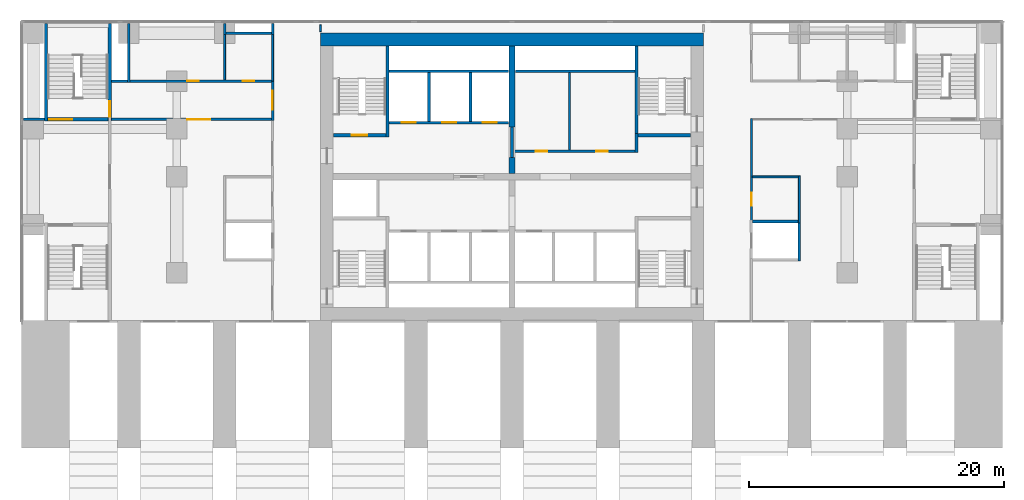
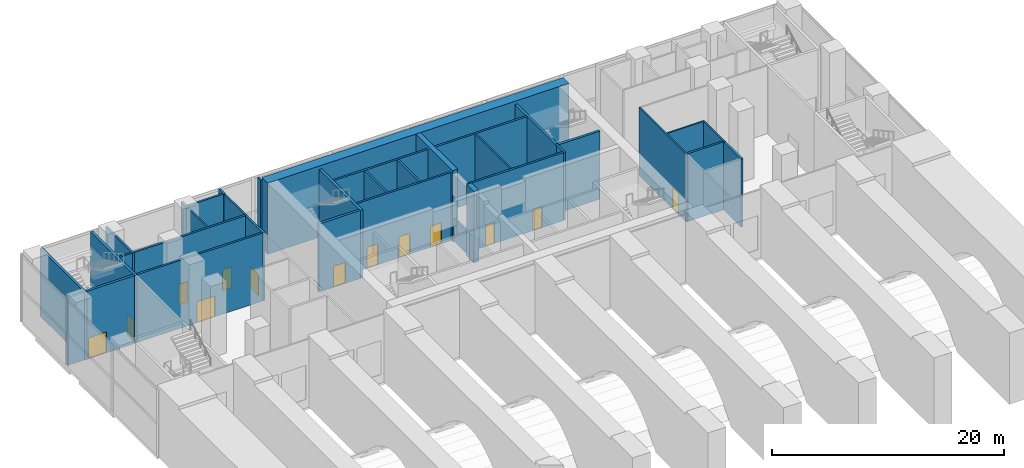
# One storey, part 7 of 15: 36 walls, 13 doors, 13 openings.
"""IFC4 building model written with IfcOpenShell, lengths in metres."""

import ifcopenshell
import ifcopenshell.guid

model = None  # the IFC model being written
_history = None  # IfcOwnerHistory: only IFC2X3 demands one
_inside = {}  # id of a spatial element -> (the spatial element, [elements in it])
_under = {}  # id of a project, library or spatial element -> (it, [spatial elements below it])
_declared = {}  # id of a project -> (the project, [libraries it declares])
_typed = {}  # id of a type object -> (the type object, [elements of that type])
_made_of = {}  # id of a material, layer set ... -> (it, [elements and type objects made of it])


def new_model(schema):
    """Start an empty IFC model of exactly this schema.

    Asked for "IFC4X3", IfcOpenShell would pick the latest addendum, in which some entities
    have other attributes; the version numbers below select the first issue.
    IFC2X3 requires an IfcOwnerHistory on every rooted entity: one is made here for all.
    """
    global model, _history
    if schema == "IFC4X3":
        model = ifcopenshell.file(schema_version=(4, 3, 0, 0))
    else:
        model = ifcopenshell.file(schema=schema)
    _inside.clear()
    _under.clear()
    _declared.clear()
    _typed.clear()
    _made_of.clear()
    _history = None
    if model.schema == "IFC2X3":
        org = make("IfcOrganization", Name="unknown")
        user = make(
            "IfcPersonAndOrganization",
            ThePerson=make("IfcPerson", FamilyName="unknown"),
            TheOrganization=org,
        )
        app = make(
            "IfcApplication",
            ApplicationDeveloper=org,
            Version="unknown",
            ApplicationFullName="unknown",
            ApplicationIdentifier="unknown",
        )
        _history = make(
            "IfcOwnerHistory",
            OwningUser=user,
            OwningApplication=app,
            ChangeAction="ADDED",
            CreationDate=0,
        )
    return model


def make(cls, **values):
    """One entity of the class cls with the attributes given. An attribute that is None is left unset."""
    return model.create_entity(
        cls, **{name: value for name, value in values.items() if value is not None}
    )


def rooted(cls, **values):
    """An entity with a GlobalId (a new one), such as an element, a storey or a relation."""
    return make(cls, GlobalId=ifcopenshell.guid.new(), OwnerHistory=_history, **values)


def si_unit(unit_type, name, prefix=None):
    """IfcSIUnit, for example si_unit("LENGTHUNIT", "METRE", prefix="MILLI")."""
    return make("IfcSIUnit", UnitType=unit_type, Prefix=prefix, Name=name)


def assignment(units):
    """IfcUnitAssignment: the units of a project."""
    return None if units is None else make("IfcUnitAssignment", Units=units)


def point(xyz):
    """IfcCartesianPoint."""
    return None if xyz is None else make("IfcCartesianPoint", Coordinates=xyz)


def direction(xyz):
    """IfcDirection."""
    return None if xyz is None else make("IfcDirection", DirectionRatios=xyz)


def frame(location, z_axis=None, x_axis=None):
    """IfcAxis2Placement3D, a coordinate frame: its origin and axes. An axis left out is left unset."""
    return make(
        "IfcAxis2Placement3D",
        Location=point(location),
        Axis=direction(z_axis),
        RefDirection=direction(x_axis),
    )


def frame_2d(location, x_axis=None):
    """IfcAxis2Placement2D, a coordinate frame in the plane: its origin and x axis."""
    return make(
        "IfcAxis2Placement2D", Location=point(location), RefDirection=direction(x_axis)
    )


def origin():
    """The frame at (0, 0, 0) with its axes left unset."""
    return frame((0.0, 0.0, 0.0))


def place(relative_to, where):
    """IfcLocalPlacement: puts the frame where relative to a parent placement (None: the world)."""
    return make(
        "IfcLocalPlacement", PlacementRelTo=relative_to, RelativePlacement=where
    )


def context(
    kind, dimensions, precision=None, world=None, true_north=None, identifier=None
):
    """IfcGeometricRepresentationContext, for example the 3D "Model" context."""
    return make(
        "IfcGeometricRepresentationContext",
        ContextIdentifier=identifier,
        ContextType=kind,
        CoordinateSpaceDimension=dimensions,
        Precision=precision,
        WorldCoordinateSystem=world,
        TrueNorth=true_north,
    )


def subcontext(parent, identifier, kind, view, scale=None):
    """IfcGeometricRepresentationSubContext, for example "Body" below "Model"."""
    return make(
        "IfcGeometricRepresentationSubContext",
        ContextIdentifier=identifier,
        ContextType=kind,
        ParentContext=parent,
        TargetScale=scale,
        TargetView=view,
    )


def project(units=None, contexts=None):
    """IfcProject with its units and contexts."""
    return rooted(
        "IfcProject",
        Name="project",
        RepresentationContexts=contexts,
        UnitsInContext=assignment(units),
    )


def spatial(cls, under=None, at=None, **own):
    """A site, building, storey or space (cls), placed at a placement, below another one or the project."""
    s = rooted(cls, ObjectPlacement=at, **own)
    if under is not None:
        _under.setdefault(under.id(), (under, []))[1].append(s)
    return s


def profile(cls, at=None, kind="AREA", **sizes):
    """A parametric profile (cls). Its sizes go by their IFC names, for example OverallWidth=200.0."""
    return make(cls, ProfileType=kind, Position=at, **sizes)


def rectangle(**sizes):
    """IfcRectangleProfileDef."""
    return profile("IfcRectangleProfileDef", **sizes)


def extrude(swept, where, along, depth):
    """IfcExtrudedAreaSolid: the profile swept, set in the frame where, extruded along a direction by depth."""
    return make(
        "IfcExtrudedAreaSolid",
        SweptArea=swept,
        Position=where,
        ExtrudedDirection=direction(along),
        Depth=depth,
    )


def shape(context_of_items, identifier, shape_type, items):
    """IfcShapeRepresentation: the items that make up one representation, for example the "Body"."""
    return make(
        "IfcShapeRepresentation",
        ContextOfItems=context_of_items,
        RepresentationIdentifier=identifier,
        RepresentationType=shape_type,
        Items=items,
    )


def material(Name=None, Category=None):
    """IfcMaterial."""
    return make("IfcMaterial", Name=Name, Category=Category)


def layer(
    of_material, thickness, ventilated=None, Name=None, Category=None, Priority=None
):
    """IfcMaterialLayer: one layer of a wall or slab, of a material (None: an air gap)."""
    return make(
        "IfcMaterialLayer",
        Material=of_material,
        LayerThickness=thickness,
        IsVentilated=ventilated,
        Name=Name,
        Category=Category,
        Priority=Priority,
    )


def layer_set(layers, Name=None):
    """IfcMaterialLayerSet."""
    return make("IfcMaterialLayerSet", MaterialLayers=layers, LayerSetName=Name)


def made_of(thing, what):
    """Note that an element or type object is made of a material, layer set ...; save() writes the relation."""
    if what is not None:
        _made_of.setdefault(what.id(), (what, []))[1].append(thing)
    return thing


def type_object(cls, material=None, **own):
    """A type object (cls), such as IfcWallType, which elements share."""
    return made_of(rooted(cls, **own), material)


def element(
    cls,
    number,
    at=None,
    inside=None,
    cuts=None,
    type_object=None,
    material=None,
    context=None,
    identifier="Body",
    shape_type=None,
    held_by="IfcProductDefinitionShape",
    body=None,
    shapes=None,
    **own,
):
    """One element of the class cls, such as IfcWall. Its Tag is "e" and its number.

    at: its placement. inside: the storey or other place that contains it. cuts: it is an
    opening in that element (IfcRelVoidsElement). A single representation is given by context,
    identifier, shape_type and body (its items); several are given by shapes. held_by: the class
    of the entity that holds the representations. save() writes the other relations.
    """
    e = rooted(cls, Tag="e%d" % number, ObjectPlacement=at, **own)
    if body is not None:
        shapes = [shape(context, identifier, shape_type, body)]
    if shapes is not None:
        e.Representation = make(held_by, Representations=shapes)
    if inside is not None:
        _inside.setdefault(inside.id(), (inside, []))[1].append(e)
    if cuts is not None:
        rooted(
            "IfcRelVoidsElement", RelatingBuildingElement=cuts, RelatedOpeningElement=e
        )
    if type_object is not None:
        _typed.setdefault(type_object.id(), (type_object, []))[1].append(e)
    return made_of(e, material)


def fill(opening, filler):
    """IfcRelFillsElement: the door or window that sits in an opening."""
    return rooted(
        "IfcRelFillsElement",
        RelatingOpeningElement=opening,
        RelatedBuildingElement=filler,
    )


def aggregate(whole, parts):
    """IfcRelAggregates: a whole, such as a stair, and the parts it consists of."""
    return rooted("IfcRelAggregates", RelatingObject=whole, RelatedObjects=parts)


def save(model, path):
    """Write the relations noted so far, then the file.

    IfcRelAggregates (storeys below a building ...), IfcRelContainedInSpatialStructure (elements
    in a storey), IfcRelDefinesByType, IfcRelAssociatesMaterial and IfcRelDeclares: one each for
    every whole, place, type object, material and project.
    """
    for whole, parts in _under.values():
        aggregate(whole, parts)
    for where, things in _inside.values():
        rooted(
            "IfcRelContainedInSpatialStructure",
            RelatedElements=things,
            RelatingStructure=where,
        )
    for kind, things in _typed.values():
        rooted("IfcRelDefinesByType", RelatedObjects=things, RelatingType=kind)
    for what, things in _made_of.values():
        rooted("IfcRelAssociatesMaterial", RelatedObjects=things, RelatingMaterial=what)
    for by, libraries in _declared.values():
        rooted("IfcRelDeclares", RelatingContext=by, RelatedDefinitions=libraries)
    model.write(path)


model = new_model("IFC4")

# Units and contexts
model_context = context("Model", 3, precision=1e-05, world=origin(), true_north=direction((0.0, 1.0)))
body_context = subcontext(model_context, "Body", "Model", "MODEL_VIEW")
ifc_project = project(units=[si_unit("LENGTHUNIT", "METRE"), si_unit("AREAUNIT", "SQUARE_METRE"), si_unit("VOLUMEUNIT", "CUBIC_METRE"), si_unit("PLANEANGLEUNIT", "RADIAN"), si_unit("MASSUNIT", "GRAM", prefix="KILO")], contexts=[model_context])

# Site, building, storey
site_placement = place(None, origin())
site = spatial("IfcSite", under=ifc_project, at=site_placement, CompositionType="ELEMENT")
building_placement = place(site_placement, origin())
building = spatial("IfcBuilding", under=site, at=building_placement, Name="Pilkhan Gate Tower", CompositionType="ELEMENT")
storey_placement = place(building_placement, frame((0.0, 0.0, 16.5)))
storey = spatial("IfcBuildingStorey", under=building, at=storey_placement, Name="L02", CompositionType="ELEMENT", Elevation=16.5)

# Wall
ifc_material_1 = material(Name="Concrete C70/85", Category="concrete")
ifc_layer_1 = layer(ifc_material_1, 1.0)
ifc_layer_set_1 = layer_set([ifc_layer_1], Name="Core wall CW1000 C70/85")
wall_type_1 = type_object("IfcWallType", Name="Core wall CW1000 C70/85", PredefinedType="SHEAR", material=ifc_layer_set_1)
wall_1_placement = place(storey_placement, frame((90.0, 93.25, 0.0), z_axis=(0.0, 0.0, 1.0), x_axis=(-1.0, 0.0, 0.0)))
element("IfcWall", 1, at=wall_1_placement, inside=storey, type_object=wall_type_1, Name="Core wall N L02", PredefinedType="SHEAR", context=body_context, shape_type="SweptSolid", body=[
    extrude(rectangle(XDim=30.0, YDim=1.0, at=frame_2d((15.0, 0.0))), origin(), (0.0, 0.0, 1.0), 7.5),
])

# Wall, opening, door
ifc_material_2 = material(Name="Dense blockwork", Category="masonry")
ifc_layer_2 = layer(ifc_material_2, 0.199951171875)
ifc_layer_set_2 = layer_set([ifc_layer_2], Name="Corridor wall FW200")
wall_type_2 = type_object("IfcWallType", Name="Corridor wall FW200", PredefinedType="PARTITIONING", material=ifc_layer_set_2)
wall_2_placement = place(storey_placement, frame((43.625, 87.0, 0.0), z_axis=(0.0, 0.0, 1.0), x_axis=(1.0, 0.0, 0.0)))
wall_2 = element("IfcWall", 2, at=wall_2_placement, inside=storey, type_object=wall_type_2, Name="Partition L02", PredefinedType="PARTITIONING", context=body_context, shape_type="SweptSolid", body=[
    extrude(rectangle(XDim=12.52490234375, YDim=0.199951171875, at=frame_2d((6.262451171875, 0.0))), origin(), (0.0, 0.0, 1.0), 7.14990234375),
])
opening_1_placement = place(wall_2_placement, frame((5.949951171875, 0.0, 0.0)))
opening_1 = element("IfcOpeningElement", 3, at=opening_1_placement, cuts=wall_2, Name="Opening L02-16", PredefinedType="OPENING", context=body_context, shape_type="SweptSolid", body=[
    extrude(rectangle(XDim=1.800048828125, YDim=2.199951171875, at=frame_2d((0.89990234375, 1.10009765625))), frame((0.0, 0.10986328125, 0.0), z_axis=(0.0, -1.0, 0.0), x_axis=(1.0, 0.0, 0.0)), (0.0, 0.0, 1.0), 0.219970703125),
])
ifc_material_3 = material(Name="Timber glazed double door, 30 minute fire resisting", Category="wood")
door_type_1 = type_object("IfcDoorType", Name="Double door D04 1800x2200", OperationType="DOUBLE_DOOR_SINGLE_SWING", PredefinedType="DOOR", material=ifc_material_3)
door_1_placement = place(opening_1_placement, origin())
door_1 = element("IfcDoor", 4, at=door_1_placement, inside=storey, type_object=door_type_1, Name="Ballroom service door", OperationType="DOUBLE_DOOR_SINGLE_SWING", OverallHeight=2.199951171875, OverallWidth=1.800048828125, PredefinedType="DOOR", context=body_context, shape_type="SweptSolid", body=[
    extrude(rectangle(XDim=1.800048828125, YDim=2.199951171875, at=frame_2d((0.89990234375, 1.10009765625))), frame((0.0, 0.02490234375, 0.0), z_axis=(0.0, -1.0, 0.0), x_axis=(1.0, 0.0, 0.0)), (0.0, 0.0, 1.0), 0.050048828125),
])
fill(opening_1, door_1)

# Wall, openings, doors
wall_3_placement = place(storey_placement, frame((45.10009765625, 90.0, 0.0), z_axis=(0.0, 0.0, 1.0), x_axis=(1.0, 0.0, 0.0)))
wall_3 = element("IfcWall", 5, at=wall_3_placement, inside=storey, type_object=wall_type_2, Name="Partition L02", PredefinedType="PARTITIONING", context=body_context, shape_type="SweptSolid", body=[
    extrude(rectangle(XDim=11.0498046875, YDim=0.199951171875, at=frame_2d((5.52490234375, 0.0))), origin(), (0.0, 0.0, 1.0), 7.14990234375),
])
opening_2_placement = place(wall_3_placement, frame((4.449951171875, 0.0, 0.0)))
opening_2 = element("IfcOpeningElement", 6, at=opening_2_placement, cuts=wall_3, Name="Opening L02-26", PredefinedType="OPENING", context=body_context, shape_type="SweptSolid", body=[
    extrude(rectangle(XDim=0.89990234375, YDim=2.199951171875, at=frame_2d((0.449951171875, 1.10009765625))), frame((0.0, 0.10986328125, 0.0), z_axis=(0.0, -1.0, 0.0), x_axis=(1.0, 0.0, 0.0)), (0.0, 0.0, 1.0), 0.219970703125),
])
opening_3_placement = place(wall_3_placement, frame((8.800048828125, 0.0, 0.0)))
opening_3 = element("IfcOpeningElement", 7, at=opening_3_placement, cuts=wall_3, Name="Opening L02-27", PredefinedType="OPENING", context=body_context, shape_type="SweptSolid", body=[
    extrude(rectangle(XDim=0.89990234375, YDim=2.199951171875, at=frame_2d((0.449951171875, 1.10009765625))), frame((0.0, 0.10986328125, 0.0), z_axis=(0.0, -1.0, 0.0), x_axis=(1.0, 0.0, 0.0)), (0.0, 0.0, 1.0), 0.219970703125),
])
ifc_material_4 = material(Name="Timber flush door, 60 minute fire resisting, self-closing", Category="wood")
door_type_2 = type_object("IfcDoorType", Name="Store door D05 900x2200", OperationType="SINGLE_SWING_LEFT", PredefinedType="DOOR", material=ifc_material_4)
door_2_placement = place(opening_2_placement, origin())
door_2 = element("IfcDoor", 8, at=door_2_placement, inside=storey, type_object=door_type_2, Name="Store door", OperationType="SINGLE_SWING_RIGHT", OverallHeight=2.199951171875, OverallWidth=0.89990234375, PredefinedType="DOOR", context=body_context, shape_type="SweptSolid", body=[
    extrude(rectangle(XDim=0.89990234375, YDim=2.199951171875, at=frame_2d((0.449951171875, 1.10009765625))), frame((0.0, 0.02490234375, 0.0), z_axis=(0.0, -1.0, 0.0), x_axis=(1.0, 0.0, 0.0)), (0.0, 0.0, 1.0), 0.050048828125),
])
fill(opening_2, door_2)
door_3_placement = place(opening_3_placement, origin())
door_3 = element("IfcDoor", 9, at=door_3_placement, inside=storey, type_object=door_type_2, Name="Store door", OperationType="SINGLE_SWING_RIGHT", OverallHeight=2.199951171875, OverallWidth=0.89990234375, PredefinedType="DOOR", context=body_context, shape_type="SweptSolid", body=[
    extrude(rectangle(XDim=0.89990234375, YDim=2.199951171875, at=frame_2d((0.449951171875, 1.10009765625))), frame((0.0, 0.02490234375, 0.0), z_axis=(0.0, -1.0, 0.0), x_axis=(1.0, 0.0, 0.0)), (0.0, 0.0, 1.0), 0.050048828125),
])
fill(opening_3, door_3)

# Wall, opening, door
wall_4_placement = place(storey_placement, frame((56.25, 86.89990234375, 0.0), z_axis=(0.0, 0.0, 1.0), x_axis=(0.0, 1.0, 0.0)))
wall_4 = element("IfcWall", 10, at=wall_4_placement, inside=storey, type_object=wall_type_2, Name="Partition L02", PredefinedType="PARTITIONING", context=body_context, shape_type="SweptSolid", body=[
    extrude(rectangle(XDim=3.2001953125, YDim=0.199951171875, at=frame_2d((1.60009765625, 0.0))), origin(), (0.0, 0.0, 1.0), 7.14990234375),
])
opening_4_placement = place(wall_4_placement, frame((0.85009765625, 0.0, 0.0)))
opening_4 = element("IfcOpeningElement", 11, at=opening_4_placement, cuts=wall_4, Name="Opening L02-06", PredefinedType="OPENING", context=body_context, shape_type="SweptSolid", body=[
    extrude(rectangle(XDim=1.5, YDim=2.199951171875, at=frame_2d((0.75, 1.10009765625))), frame((0.0, 0.10986328125, 0.0), z_axis=(0.0, -1.0, 0.0), x_axis=(1.0, 0.0, 0.0)), (0.0, 0.0, 1.0), 0.219970703125),
])
ifc_material_5 = material(Name="Steel framed glazed door, 60 minute fire resisting", Category="steel")
door_type_3 = type_object("IfcDoorType", Name="Lobby door D09 1500x2200", OperationType="DOUBLE_DOOR_SINGLE_SWING", PredefinedType="DOOR", material=ifc_material_5)
door_4_placement = place(opening_4_placement, origin())
door_4 = element("IfcDoor", 12, at=door_4_placement, inside=storey, type_object=door_type_3, Name="Service door", OperationType="DOUBLE_DOOR_SINGLE_SWING", OverallHeight=2.199951171875, OverallWidth=1.5, PredefinedType="DOOR", context=body_context, shape_type="SweptSolid", body=[
    extrude(rectangle(XDim=1.5, YDim=2.199951171875, at=frame_2d((0.75, 1.10009765625))), frame((0.0, 0.02490234375, 0.0), z_axis=(0.0, -1.0, 0.0), x_axis=(1.0, 0.0, 0.0)), (0.0, 0.0, 1.0), 0.050048828125),
])
fill(opening_4, door_4)

# Wall, openings, doors
ifc_layer_3 = layer(ifc_material_2, 0.199951171875)
ifc_layer_set_3 = layer_set([ifc_layer_3], Name="Lobby wall LW200")
wall_type_3 = type_object("IfcWallType", Name="Lobby wall LW200", PredefinedType="PARTITIONING", material=ifc_layer_set_3)
wall_5_placement = place(storey_placement, frame((75.10009765625, 84.5, 0.0), z_axis=(0.0, 0.0, 1.0), x_axis=(1.0, 0.0, 0.0)))
wall_5 = element("IfcWall", 13, at=wall_5_placement, inside=storey, type_object=wall_type_3, Name="Partition L02", PredefinedType="PARTITIONING", context=body_context, shape_type="SweptSolid", body=[
    extrude(rectangle(XDim=9.5498046875, YDim=0.199951171875, at=frame_2d((4.77490234375, 0.0))), origin(), (0.0, 0.0, 1.0), 7.14990234375),
])
opening_5_placement = place(wall_5_placement, frame((1.75, 0.0, 0.0)))
opening_5 = element("IfcOpeningElement", 14, at=opening_5_placement, cuts=wall_5, Name="Opening L02-24", PredefinedType="OPENING", context=body_context, shape_type="SweptSolid", body=[
    extrude(rectangle(XDim=0.89990234375, YDim=2.199951171875, at=frame_2d((0.449951171875, 1.10009765625))), frame((0.0, 0.10986328125, 0.0), z_axis=(0.0, -1.0, 0.0), x_axis=(1.0, 0.0, 0.0)), (0.0, 0.0, 1.0), 0.219970703125),
])
opening_6_placement = place(wall_5_placement, frame((6.5, 0.0, 0.0)))
opening_6 = element("IfcOpeningElement", 15, at=opening_6_placement, cuts=wall_5, Name="Opening L02-25", PredefinedType="OPENING", context=body_context, shape_type="SweptSolid", body=[
    extrude(rectangle(XDim=0.89990234375, YDim=2.199951171875, at=frame_2d((0.449951171875, 1.10009765625))), frame((0.0, 0.10986328125, 0.0), z_axis=(0.0, -1.0, 0.0), x_axis=(1.0, 0.0, 0.0)), (0.0, 0.0, 1.0), 0.219970703125),
])
door_5_placement = place(opening_5_placement, origin())
door_5 = element("IfcDoor", 16, at=door_5_placement, inside=storey, type_object=door_type_2, Name="Store door", OperationType="SINGLE_SWING_RIGHT", OverallHeight=2.199951171875, OverallWidth=0.89990234375, PredefinedType="DOOR", context=body_context, shape_type="SweptSolid", body=[
    extrude(rectangle(XDim=0.89990234375, YDim=2.199951171875, at=frame_2d((0.449951171875, 1.10009765625))), frame((0.0, 0.02490234375, 0.0), z_axis=(0.0, -1.0, 0.0), x_axis=(1.0, 0.0, 0.0)), (0.0, 0.0, 1.0), 0.050048828125),
])
fill(opening_5, door_5)
door_6_placement = place(opening_6_placement, origin())
door_6 = element("IfcDoor", 17, at=door_6_placement, inside=storey, type_object=door_type_2, Name="Store door", OperationType="SINGLE_SWING_LEFT", OverallHeight=2.199951171875, OverallWidth=0.89990234375, PredefinedType="DOOR", context=body_context, shape_type="SweptSolid", body=[
    extrude(rectangle(XDim=0.89990234375, YDim=2.199951171875, at=frame_2d((0.449951171875, 1.10009765625))), frame((0.0, 0.02490234375, 0.0), z_axis=(0.0, -1.0, 0.0), x_axis=(1.0, 0.0, 0.0)), (0.0, 0.0, 1.0), 0.050048828125),
])
fill(opening_6, door_6)

# Walls
wall_6_placement = place(storey_placement, frame((36.735107421875, 87.0, 0.0), z_axis=(0.0, 0.0, 1.0), x_axis=(1.0, 0.0, 0.0)))
element("IfcWall", 18, at=wall_6_placement, inside=storey, type_object=wall_type_3, Name="Partition L02", PredefinedType="PARTITIONING", context=body_context, shape_type="SweptSolid", body=[
    extrude(rectangle(XDim=1.639892578125, YDim=0.199951171875, at=frame_2d((0.81982421875, 0.0))), origin(), (0.0, 0.0, 1.0), 7.14990234375),
])
wall_7_placement = place(storey_placement, frame((43.625, 90.0, 0.0), z_axis=(0.0, 0.0, 1.0), x_axis=(1.0, 0.0, 0.0)))
element("IfcWall", 19, at=wall_7_placement, inside=storey, type_object=wall_type_3, Name="Partition L02", PredefinedType="PARTITIONING", context=body_context, shape_type="SweptSolid", body=[
    extrude(rectangle(XDim=1.27490234375, YDim=0.199951171875, at=frame_2d((0.637451171875, 0.0))), origin(), (0.0, 0.0, 1.0), 7.14990234375),
])
wall_8_placement = place(storey_placement, frame((75.260009765625, 90.75, 0.0), z_axis=(0.0, 0.0, 1.0), x_axis=(1.0, 0.0, 0.0)))
element("IfcWall", 20, at=wall_8_placement, inside=storey, type_object=wall_type_3, Name="Partition L02", PredefinedType="PARTITIONING", context=body_context, shape_type="SweptSolid", body=[
    extrude(rectangle(XDim=9.364990234375, YDim=0.199951171875, at=frame_2d((4.6826171875, 0.0))), origin(), (0.0, 0.0, 1.0), 7.14990234375),
])
wall_9_placement = place(storey_placement, frame((52.60009765625, 93.75, 0.0), z_axis=(0.0, 0.0, 1.0), x_axis=(1.0, 0.0, 0.0)))
element("IfcWall", 21, at=wall_9_placement, inside=storey, type_object=wall_type_3, Name="Partition L02", PredefinedType="PARTITIONING", context=body_context, shape_type="SweptSolid", body=[
    extrude(rectangle(XDim=3.5498046875, YDim=0.199951171875, at=frame_2d((1.77490234375, 0.0))), origin(), (0.0, 0.0, 1.0), 7.14990234375),
])
wall_10_placement = place(storey_placement, frame((45.0, 89.89990234375, 0.0), z_axis=(0.0, 0.0, 1.0), x_axis=(0.0, 1.0, 0.0)))
element("IfcWall", 22, at=wall_10_placement, inside=storey, type_object=wall_type_3, Name="Partition L02", PredefinedType="PARTITIONING", context=body_context, shape_type="SweptSolid", body=[
    extrude(rectangle(XDim=4.614990234375, YDim=0.199951171875, at=frame_2d((2.3076171875, 0.0))), origin(), (0.0, 0.0, 1.0), 7.14990234375),
])
for number, where, z_axis, x_axis, name in (
    (23, (52.5, 93.64990234375, 0.0), (0.0, 0.0, 1.0), (0.0, 1.0, 0.0), "Partition L02"),
    (24, (56.25, 93.64990234375, 0.0), (0.0, 0.0, 1.0), (0.0, 1.0, 0.0), "Partition L02"),
):
    element("IfcWall", number, at=place(storey_placement, frame(where, z_axis=z_axis, x_axis=x_axis)), inside=storey, type_object=wall_type_3, Name=name, PredefinedType="PARTITIONING", context=body_context, shape_type="SweptSolid", body=[
        extrude(rectangle(XDim=0.864990234375, YDim=0.199951171875, at=frame_2d((0.4326171875, 0.0))), origin(), (0.0, 0.0, 1.0), 7.14990234375),
    ])
wall_11_placement = place(storey_placement, frame((75.0, 84.010009765625, 0.0), z_axis=(0.0, 0.0, 1.0), x_axis=(0.0, 1.0, 0.0)))
element("IfcWall", 25, at=wall_11_placement, inside=storey, type_object=wall_type_3, Name="Partition L02", PredefinedType="PARTITIONING", context=body_context, shape_type="SweptSolid", body=[
    extrude(rectangle(XDim=2.3798828125, YDim=0.199951171875, at=frame_2d((1.18994140625, 0.0))), origin(), (0.0, 0.0, 1.0), 2.39990234375),
])
wall_12_placement = place(storey_placement, frame((84.75, 84.39990234375, 0.0), z_axis=(0.0, 0.0, 1.0), x_axis=(0.0, 1.0, 0.0)))
element("IfcWall", 26, at=wall_12_placement, inside=storey, type_object=wall_type_3, Name="Partition L02", PredefinedType="PARTITIONING", context=body_context, shape_type="SweptSolid", body=[
    extrude(rectangle(XDim=1.47509765625, YDim=0.199951171875, at=frame_2d((0.737548828125, 0.0))), origin(), (0.0, 0.0, 1.0), 7.14990234375),
])
ifc_material_6 = material(Name="Blockwork partition, plastered both sides", Category="masonry")
ifc_layer_4 = layer(ifc_material_6, 0.14990234375)
ifc_layer_set_4 = layer_set([ifc_layer_4], Name="Partition PW150")
wall_type_4 = type_object("IfcWallType", Name="Partition PW150", PredefinedType="PARTITIONING", material=ifc_layer_set_4)
wall_13_placement = place(storey_placement, frame((93.824951171875, 82.5, 0.0), z_axis=(0.0, 0.0, 1.0), x_axis=(1.0, 0.0, 0.0)))
element("IfcWall", 27, at=wall_13_placement, inside=storey, type_object=wall_type_4, Name="Partition L02", PredefinedType="PARTITIONING", context=body_context, shape_type="SweptSolid", body=[
    extrude(rectangle(XDim=3.60009765625, YDim=0.14990234375, at=frame_2d((1.800048828125, 0.0))), origin(), (0.0, 0.0, 1.0), 7.14990234375),
])
wall_14_placement = place(storey_placement, frame((52.5, 90.10009765625, 0.0), z_axis=(0.0, 0.0, 1.0), x_axis=(0.0, 1.0, 0.0)))
element("IfcWall", 28, at=wall_14_placement, inside=storey, type_object=wall_type_4, Name="Partition L02", PredefinedType="PARTITIONING", context=body_context, shape_type="SweptSolid", body=[
    extrude(rectangle(XDim=3.64990234375, YDim=0.14990234375, at=frame_2d((1.824951171875, 0.0))), origin(), (0.0, 0.0, 1.0), 7.14990234375),
])
wall_15_placement = place(storey_placement, frame((56.25, 90.0, 0.0), z_axis=(0.0, 0.0, 1.0), x_axis=(0.0, 1.0, 0.0)))
element("IfcWall", 29, at=wall_15_placement, inside=storey, type_object=wall_type_4, Name="Partition L02", PredefinedType="PARTITIONING", context=body_context, shape_type="SweptSolid", body=[
    extrude(rectangle(XDim=3.75, YDim=0.14990234375, at=frame_2d((1.875, 0.0))), origin(), (0.0, 0.0, 1.0), 7.14990234375),
])
wall_16_placement = place(storey_placement, frame((60.0, 93.8701171875, 0.0), z_axis=(0.0, 0.0, 1.0), x_axis=(0.0, 1.0, 0.0)))
element("IfcWall", 30, at=wall_16_placement, inside=storey, type_object=wall_type_4, Name="Partition L02", PredefinedType="PARTITIONING", context=body_context, shape_type="SweptSolid", body=[
    extrude(rectangle(XDim=0.52490234375, YDim=0.14990234375, at=frame_2d((0.262451171875, 0.0))), origin(), (0.0, 0.0, 1.0), 7.14990234375),
])
wall_17_placement = place(storey_placement, frame((79.5, 84.60009765625, 0.0), z_axis=(0.0, 0.0, 1.0), x_axis=(0.0, 1.0, 0.0)))
element("IfcWall", 31, at=wall_17_placement, inside=storey, type_object=wall_type_4, Name="Partition L02", PredefinedType="PARTITIONING", context=body_context, shape_type="SweptSolid", body=[
    extrude(rectangle(XDim=6.0498046875, YDim=0.14990234375, at=frame_2d((3.02490234375, 0.0))), origin(), (0.0, 0.0, 1.0), 7.14990234375),
])

# Wall, opening, door
wall_18_placement = place(storey_placement, frame((93.75, 78.89990234375, 0.0), z_axis=(0.0, 0.0, 1.0), x_axis=(0.0, 1.0, 0.0)))
wall_18 = element("IfcWall", 32, at=wall_18_placement, inside=storey, type_object=wall_type_4, Name="Partition L02", PredefinedType="PARTITIONING", context=body_context, shape_type="SweptSolid", body=[
    extrude(rectangle(XDim=8.175048828125, YDim=0.14990234375, at=frame_2d((4.08740234375, 0.0))), origin(), (0.0, 0.0, 1.0), 7.14990234375),
])
opening_7_placement = place(wall_18_placement, frame((1.35009765625, 0.0, 0.0)))
opening_7 = element("IfcOpeningElement", 33, at=opening_7_placement, cuts=wall_18, Name="Opening L02-32", PredefinedType="OPENING", context=body_context, shape_type="SweptSolid", body=[
    extrude(rectangle(XDim=1.0, YDim=2.199951171875, at=frame_2d((0.5, 1.10009765625))), frame((0.0, 0.0849609375, 0.0), z_axis=(0.0, -1.0, 0.0), x_axis=(1.0, 0.0, 0.0)), (0.0, 0.0, 1.0), 0.169921875),
])
ifc_material_7 = material(Name="Timber flush door, outward opening, 30 minute fire resisting", Category="wood")
door_type_4 = type_object("IfcDoorType", Name="Accessible toilet door D07 1000x2200", OperationType="SINGLE_SWING_LEFT", PredefinedType="DOOR", material=ifc_material_7)
door_7_placement = place(opening_7_placement, origin())
door_7 = element("IfcDoor", 34, at=door_7_placement, inside=storey, type_object=door_type_4, Name="Accessible toilet door", OperationType="SINGLE_SWING_LEFT", OverallHeight=2.199951171875, OverallWidth=1.0, PredefinedType="DOOR", context=body_context, shape_type="SweptSolid", body=[
    extrude(rectangle(XDim=1.0, YDim=2.199951171875, at=frame_2d((0.5, 1.10009765625))), frame((0.0, 0.02490234375, 0.0), z_axis=(0.0, -1.0, 0.0), x_axis=(1.0, 0.0, 0.0)), (0.0, 0.0, 1.0), 0.050048828125),
])
fill(opening_7, door_7)

# Walls
wall_19_placement = place(storey_placement, frame((97.5, 78.89990234375, 0.0), z_axis=(0.0, 0.0, 1.0), x_axis=(0.0, 1.0, 0.0)))
element("IfcWall", 35, at=wall_19_placement, inside=storey, type_object=wall_type_4, Name="Partition L02", PredefinedType="PARTITIONING", context=body_context, shape_type="SweptSolid", body=[
    extrude(rectangle(XDim=3.675048828125, YDim=0.14990234375, at=frame_2d((1.83740234375, 0.0))), origin(), (0.0, 0.0, 1.0), 7.14990234375),
])
ifc_material_8 = material(Name="Reinforced blockwork shaft wall, 120 minute fire resisting", Category="masonry")
ifc_layer_5 = layer(ifc_material_8, 0.199951171875)
ifc_layer_set_5 = layer_set([ifc_layer_5], Name="Shaft wall SW200")
wall_type_5 = type_object("IfcWallType", Name="Shaft wall SW200", PredefinedType="PARTITIONING", material=ifc_layer_set_5)
wall_20_placement = place(storey_placement, frame((93.85009765625, 79.0, 0.0), z_axis=(0.0, 0.0, 1.0), x_axis=(1.0, 0.0, 0.0)))
element("IfcWall", 36, at=wall_20_placement, inside=storey, type_object=wall_type_5, Name="Partition L02", PredefinedType="PARTITIONING", context=body_context, shape_type="SweptSolid", body=[
    extrude(rectangle(XDim=3.5498046875, YDim=0.199951171875, at=frame_2d((1.77490234375, 0.0))), origin(), (0.0, 0.0, 1.0), 7.14990234375),
])

# Wall, openings, doors
wall_21_placement = place(storey_placement, frame((65.375, 86.75, 0.0), z_axis=(0.0, 0.0, 1.0), x_axis=(1.0, 0.0, 0.0)))
wall_21 = element("IfcWall", 37, at=wall_21_placement, inside=storey, type_object=wall_type_5, Name="Partition L02", PredefinedType="PARTITIONING", context=body_context, shape_type="SweptSolid", body=[
    extrude(rectangle(XDim=9.364990234375, YDim=0.199951171875, at=frame_2d((4.6826171875, 0.0))), origin(), (0.0, 0.0, 1.0), 7.14990234375),
])
opening_8_placement = place(wall_21_placement, frame((1.0, 0.0, 0.0)))
opening_8 = element("IfcOpeningElement", 38, at=opening_8_placement, cuts=wall_21, Name="Opening LD", PredefinedType="OPENING", context=body_context, shape_type="SweptSolid", body=[
    extrude(rectangle(XDim=1.10009765625, YDim=2.199951171875, at=frame_2d((0.550048828125, 1.10009765625))), frame((0.0, 0.10986328125, 0.0), z_axis=(0.0, -1.0, 0.0), x_axis=(1.0, 0.0, 0.0)), (0.0, 0.0, 1.0), 0.219970703125),
])
opening_9_placement = place(wall_21_placement, frame((4.175048828125, 0.0, 0.0)))
opening_9 = element("IfcOpeningElement", 39, at=opening_9_placement, cuts=wall_21, Name="Opening LD", PredefinedType="OPENING", context=body_context, shape_type="SweptSolid", body=[
    extrude(rectangle(XDim=1.10009765625, YDim=2.199951171875, at=frame_2d((0.550048828125, 1.10009765625))), frame((0.0, 0.10986328125, 0.0), z_axis=(0.0, -1.0, 0.0), x_axis=(1.0, 0.0, 0.0)), (0.0, 0.0, 1.0), 0.219970703125),
])
opening_10_placement = place(wall_21_placement, frame((7.324951171875, 0.0, 0.0)))
opening_10 = element("IfcOpeningElement", 40, at=opening_10_placement, cuts=wall_21, Name="Opening LD", PredefinedType="OPENING", context=body_context, shape_type="SweptSolid", body=[
    extrude(rectangle(XDim=1.10009765625, YDim=2.199951171875, at=frame_2d((0.550048828125, 1.10009765625))), frame((0.0, 0.10986328125, 0.0), z_axis=(0.0, -1.0, 0.0), x_axis=(1.0, 0.0, 0.0)), (0.0, 0.0, 1.0), 0.219970703125),
])
ifc_material_9 = material(Name="Stainless steel centre-opening landing door, 120 minute fire resisting", Category="steel")
door_type_5 = type_object("IfcDoorType", Name="Lift landing door LD 1100x2200", OperationType="DOUBLE_DOOR_SLIDING", PredefinedType="DOOR", material=ifc_material_9)
door_8_placement = place(opening_8_placement, origin())
door_8 = element("IfcDoor", 41, at=door_8_placement, inside=storey, type_object=door_type_5, Name="Landing door FF1", OperationType="DOUBLE_DOOR_SLIDING", OverallHeight=2.199951171875, OverallWidth=1.10009765625, PredefinedType="DOOR", context=body_context, shape_type="SweptSolid", body=[
    extrude(rectangle(XDim=1.10009765625, YDim=2.199951171875, at=frame_2d((0.550048828125, 1.10009765625))), frame((0.0, 0.02490234375, 0.0), z_axis=(0.0, -1.0, 0.0), x_axis=(1.0, 0.0, 0.0)), (0.0, 0.0, 1.0), 0.050048828125),
])
fill(opening_8, door_8)
door_9_placement = place(opening_9_placement, origin())
door_9 = element("IfcDoor", 42, at=door_9_placement, inside=storey, type_object=door_type_5, Name="Landing door FF2", OperationType="DOUBLE_DOOR_SLIDING", OverallHeight=2.199951171875, OverallWidth=1.10009765625, PredefinedType="DOOR", context=body_context, shape_type="SweptSolid", body=[
    extrude(rectangle(XDim=1.10009765625, YDim=2.199951171875, at=frame_2d((0.550048828125, 1.10009765625))), frame((0.0, 0.02490234375, 0.0), z_axis=(0.0, -1.0, 0.0), x_axis=(1.0, 0.0, 0.0)), (0.0, 0.0, 1.0), 0.050048828125),
])
fill(opening_9, door_9)
door_10_placement = place(opening_10_placement, origin())
door_10 = element("IfcDoor", 43, at=door_10_placement, inside=storey, type_object=door_type_5, Name="Landing door SV1", OperationType="DOUBLE_DOOR_SLIDING", OverallHeight=2.199951171875, OverallWidth=1.10009765625, PredefinedType="DOOR", context=body_context, shape_type="SweptSolid", body=[
    extrude(rectangle(XDim=1.10009765625, YDim=2.199951171875, at=frame_2d((0.550048828125, 1.10009765625))), frame((0.0, 0.02490234375, 0.0), z_axis=(0.0, -1.0, 0.0), x_axis=(1.0, 0.0, 0.0)), (0.0, 0.0, 1.0), 0.050048828125),
])
fill(opening_10, door_10)

# Walls
wall_22_placement = place(storey_placement, frame((65.375, 90.75, 0.0), z_axis=(0.0, 0.0, 1.0), x_axis=(1.0, 0.0, 0.0)))
element("IfcWall", 44, at=wall_22_placement, inside=storey, type_object=wall_type_5, Name="Partition L02", PredefinedType="PARTITIONING", context=body_context, shape_type="SweptSolid", body=[
    extrude(rectangle(XDim=9.364990234375, YDim=0.199951171875, at=frame_2d((4.6826171875, 0.0))), origin(), (0.0, 0.0, 1.0), 7.14990234375),
])
for number, where, z_axis, x_axis, name in (
    (45, (68.5, 86.85009765625, 0.0), (0.0, 0.0, 1.0), (0.0, 1.0, 0.0), "Partition L02"),
    (46, (71.75, 86.85009765625, 0.0), (0.0, 0.0, 1.0), (0.0, 1.0, 0.0), "Partition L02"),
):
    element("IfcWall", number, at=place(storey_placement, frame(where, z_axis=z_axis, x_axis=x_axis)), inside=storey, type_object=wall_type_5, Name=name, PredefinedType="PARTITIONING", context=body_context, shape_type="SweptSolid", body=[
        extrude(rectangle(XDim=3.7998046875, YDim=0.199951171875, at=frame_2d((1.89990234375, 0.0))), origin(), (0.0, 0.0, 1.0), 7.14990234375),
    ])
wall_23_placement = place(storey_placement, frame((97.5, 75.89990234375, 0.0), z_axis=(0.0, 0.0, 1.0), x_axis=(0.0, 1.0, 0.0)))
element("IfcWall", 47, at=wall_23_placement, inside=storey, type_object=wall_type_5, Name="Partition L02", PredefinedType="PARTITIONING", context=body_context, shape_type="SweptSolid", body=[
    extrude(rectangle(XDim=3.2001953125, YDim=0.199951171875, at=frame_2d((1.60009765625, 0.0))), origin(), (0.0, 0.0, 1.0), 7.14990234375),
])
ifc_layer_6 = layer(ifc_material_1, 0.5)
ifc_layer_set_6 = layer_set([ifc_layer_6], Name="Spine wall SW500 C70/85")
wall_type_6 = type_object("IfcWallType", Name="Spine wall SW500 C70/85", PredefinedType="SHEAR", material=ifc_layer_set_6)
wall_24_placement = place(storey_placement, frame((75.0, 82.75, 0.0), z_axis=(0.0, 0.0, 1.0), x_axis=(0.0, 1.0, 0.0)))
element("IfcWall", 48, at=wall_24_placement, inside=storey, type_object=wall_type_6, Name="Spine wall SP-NS-N1 L02", PredefinedType="SHEAR", context=body_context, shape_type="SweptSolid", body=[
    extrude(rectangle(XDim=1.25, YDim=0.5, at=frame_2d((0.625, 0.0))), origin(), (0.0, 0.0, 1.0), 7.5),
])
wall_25_placement = place(storey_placement, frame((75.0, 86.39990234375, 0.0), z_axis=(0.0, 0.0, 1.0), x_axis=(0.0, 1.0, 0.0)))
element("IfcWall", 49, at=wall_25_placement, inside=storey, type_object=wall_type_6, Name="Spine wall SP-NS-N2 L02", PredefinedType="SHEAR", context=body_context, shape_type="SweptSolid", body=[
    extrude(rectangle(XDim=6.35009765625, YDim=0.5, at=frame_2d((3.175048828125, 0.0))), origin(), (0.0, 0.0, 1.0), 7.5),
])

# Wall, opening, door
ifc_material_10 = material(Name="Reinforced blockwork, 120 minute fire resisting", Category="masonry")
ifc_layer_7 = layer(ifc_material_10, 0.25)
ifc_layer_set_7 = layer_set([ifc_layer_7], Name="Stair enclosure wall SE250")
wall_type_7 = type_object("IfcWallType", Name="Stair enclosure wall SE250", PredefinedType="PARTITIONING", material=ifc_layer_set_7)
wall_26_placement = place(storey_placement, frame((61.010009765625, 85.75, 0.0), z_axis=(0.0, 0.0, 1.0), x_axis=(1.0, 0.0, 0.0)))
wall_26 = element("IfcWall", 50, at=wall_26_placement, inside=storey, type_object=wall_type_7, Name="Partition L02", PredefinedType="PARTITIONING", context=body_context, shape_type="SweptSolid", body=[
    extrude(rectangle(XDim=4.114990234375, YDim=0.25, at=frame_2d((2.0576171875, 0.0))), origin(), (0.0, 0.0, 1.0), 7.14990234375),
])
opening_11_placement = place(wall_26_placement, frame((1.449951171875, 0.0, 0.0)))
opening_11 = element("IfcOpeningElement", 51, at=opening_11_placement, cuts=wall_26, Name="Opening L02-02", PredefinedType="OPENING", context=body_context, shape_type="SweptSolid", body=[
    extrude(rectangle(XDim=1.199951171875, YDim=2.199951171875, at=frame_2d((0.60009765625, 1.10009765625))), frame((0.0, 0.135009765625, 0.0), z_axis=(0.0, -1.0, 0.0), x_axis=(1.0, 0.0, 0.0)), (0.0, 0.0, 1.0), 0.27001953125),
])
ifc_material_11 = material(Name="Steel door, 120 minute fire resisting, panic bar", Category="steel")
door_type_6 = type_object("IfcDoorType", Name="Stair door D11 1200x2200", OperationType="SINGLE_SWING_LEFT", PredefinedType="DOOR", material=ifc_material_11)
door_11_placement = place(opening_11_placement, origin())
door_11 = element("IfcDoor", 52, at=door_11_placement, inside=storey, type_object=door_type_6, Name="Stair ST3 lobby door", OperationType="SINGLE_SWING_LEFT", OverallHeight=2.199951171875, OverallWidth=1.199951171875, PredefinedType="DOOR", context=body_context, shape_type="SweptSolid", body=[
    extrude(rectangle(XDim=1.199951171875, YDim=2.199951171875, at=frame_2d((0.60009765625, 1.10009765625))), frame((0.0, 0.02490234375, 0.0), z_axis=(0.0, -1.0, 0.0), x_axis=(1.0, 0.0, 0.0)), (0.0, 0.0, 1.0), 0.050048828125),
])
fill(opening_11, door_11)

# Wall
wall_27_placement = place(storey_placement, frame((84.875, 85.75, 0.0), z_axis=(0.0, 0.0, 1.0), x_axis=(1.0, 0.0, 0.0)))
element("IfcWall", 53, at=wall_27_placement, inside=storey, type_object=wall_type_7, Name="Partition L02", PredefinedType="PARTITIONING", context=body_context, shape_type="SweptSolid", body=[
    extrude(rectangle(XDim=4.114990234375, YDim=0.25, at=frame_2d((2.0576171875, 0.0))), origin(), (0.0, 0.0, 1.0), 7.14990234375),
])

# Wall, opening, door
wall_28_placement = place(storey_placement, frame((38.625, 87.0, 0.0), z_axis=(0.0, 0.0, 1.0), x_axis=(1.0, 0.0, 0.0)))
wall_28 = element("IfcWall", 54, at=wall_28_placement, inside=storey, type_object=wall_type_7, Name="Partition L02", PredefinedType="PARTITIONING", context=body_context, shape_type="SweptSolid", body=[
    extrude(rectangle(XDim=4.75, YDim=0.25, at=frame_2d((2.375, 0.0))), origin(), (0.0, 0.0, 1.0), 7.14990234375),
])
opening_12_placement = place(wall_28_placement, frame((0.14990234375, 0.0, 0.0)))
opening_12 = element("IfcOpeningElement", 55, at=opening_12_placement, cuts=wall_28, Name="Opening L02-07", PredefinedType="OPENING", context=body_context, shape_type="SweptSolid", body=[
    extrude(rectangle(XDim=1.800048828125, YDim=2.199951171875, at=frame_2d((0.89990234375, 1.10009765625))), frame((0.0, 0.135009765625, 0.0), z_axis=(0.0, -1.0, 0.0), x_axis=(1.0, 0.0, 0.0)), (0.0, 0.0, 1.0), 0.27001953125),
])
ifc_material_12 = material(Name="Steel double door, 120 minute fire resisting, panic bar", Category="steel")
door_type_7 = type_object("IfcDoorType", Name="Stair door D14 1800x2200", OperationType="DOUBLE_DOOR_SINGLE_SWING", PredefinedType="DOOR", material=ifc_material_12)
door_12_placement = place(opening_12_placement, origin())
door_12 = element("IfcDoor", 56, at=door_12_placement, inside=storey, type_object=door_type_7, Name="Stair PS1 door", OperationType="DOUBLE_DOOR_SINGLE_SWING", OverallHeight=2.199951171875, OverallWidth=1.800048828125, PredefinedType="DOOR", context=body_context, shape_type="SweptSolid", body=[
    extrude(rectangle(XDim=1.800048828125, YDim=2.199951171875, at=frame_2d((0.89990234375, 1.10009765625))), frame((0.0, 0.02490234375, 0.0), z_axis=(0.0, -1.0, 0.0), x_axis=(1.0, 0.0, 0.0)), (0.0, 0.0, 1.0), 0.050048828125),
])
fill(opening_12, door_12)

# Wall
wall_29_placement = place(storey_placement, frame((38.5, 86.875, 0.0), z_axis=(0.0, 0.0, 1.0), x_axis=(0.0, 1.0, 0.0)))
element("IfcWall", 57, at=wall_29_placement, inside=storey, type_object=wall_type_7, Name="Partition L02", PredefinedType="PARTITIONING", context=body_context, shape_type="SweptSolid", body=[
    extrude(rectangle(XDim=7.625, YDim=0.25, at=frame_2d((3.8125, 0.0))), origin(), (0.0, 0.0, 1.0), 7.14990234375),
])

# Wall, opening, door
wall_30_placement = place(storey_placement, frame((43.5, 86.875, 0.0), z_axis=(0.0, 0.0, 1.0), x_axis=(0.0, 1.0, 0.0)))
wall_30 = element("IfcWall", 58, at=wall_30_placement, inside=storey, type_object=wall_type_7, Name="Partition L02", PredefinedType="PARTITIONING", context=body_context, shape_type="SweptSolid", body=[
    extrude(rectangle(XDim=7.625, YDim=0.25, at=frame_2d((3.8125, 0.0))), origin(), (0.0, 0.0, 1.0), 7.14990234375),
])
opening_13_placement = place(wall_30_placement, frame((0.324951171875, 0.0, 0.0)))
opening_13 = element("IfcOpeningElement", 59, at=opening_13_placement, cuts=wall_30, Name="Opening L02-19", PredefinedType="OPENING", context=body_context, shape_type="SweptSolid", body=[
    extrude(rectangle(XDim=1.199951171875, YDim=2.199951171875, at=frame_2d((0.60009765625, 1.10009765625))), frame((0.0, 0.135009765625, 0.0), z_axis=(0.0, -1.0, 0.0), x_axis=(1.0, 0.0, 0.0)), (0.0, 0.0, 1.0), 0.27001953125),
])
door_13_placement = place(opening_13_placement, origin())
door_13 = element("IfcDoor", 60, at=door_13_placement, inside=storey, type_object=door_type_6, Name="Stair PS1 service door", OperationType="SINGLE_SWING_RIGHT", OverallHeight=2.199951171875, OverallWidth=1.199951171875, PredefinedType="DOOR", context=body_context, shape_type="SweptSolid", body=[
    extrude(rectangle(XDim=1.199951171875, YDim=2.199951171875, at=frame_2d((0.60009765625, 1.10009765625))), frame((0.0, 0.02490234375, 0.0), z_axis=(0.0, -1.0, 0.0), x_axis=(1.0, 0.0, 0.0)), (0.0, 0.0, 1.0), 0.050048828125),
])
fill(opening_13, door_13)

# Walls
for number, where, z_axis, x_axis, name in (
    (61, (65.25, 85.625, 0.0), (0.0, 0.0, 1.0), (0.0, 1.0, 0.0), "Partition L02"),
    (62, (84.75, 85.625, 0.0), (0.0, 0.0, 1.0), (0.0, 1.0, 0.0), "Partition L02"),
):
    element("IfcWall", number, at=place(storey_placement, frame(where, z_axis=z_axis, x_axis=x_axis)), inside=storey, type_object=wall_type_7, Name=name, PredefinedType="PARTITIONING", context=body_context, shape_type="SweptSolid", body=[
        extrude(rectangle(XDim=7.114990234375, YDim=0.25, at=frame_2d((3.5576171875, 0.0))), origin(), (0.0, 0.0, 1.0), 7.14990234375),
    ])

save(model, "model.ifc")
